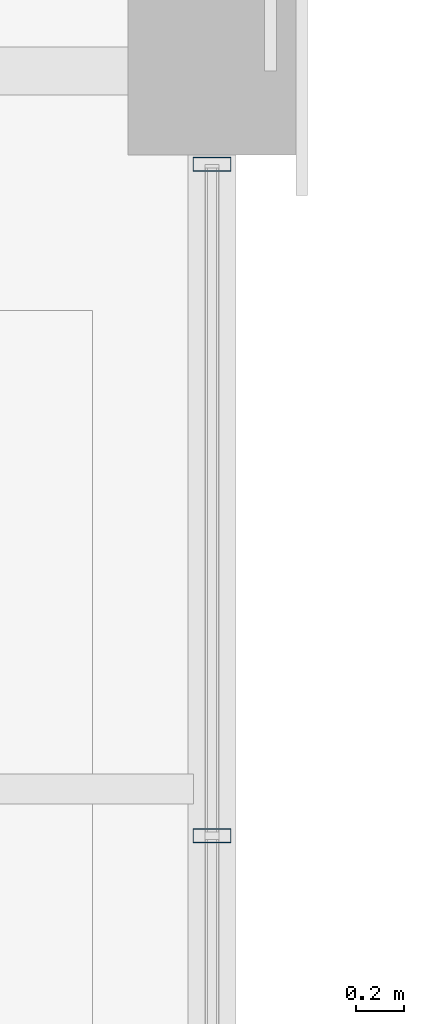
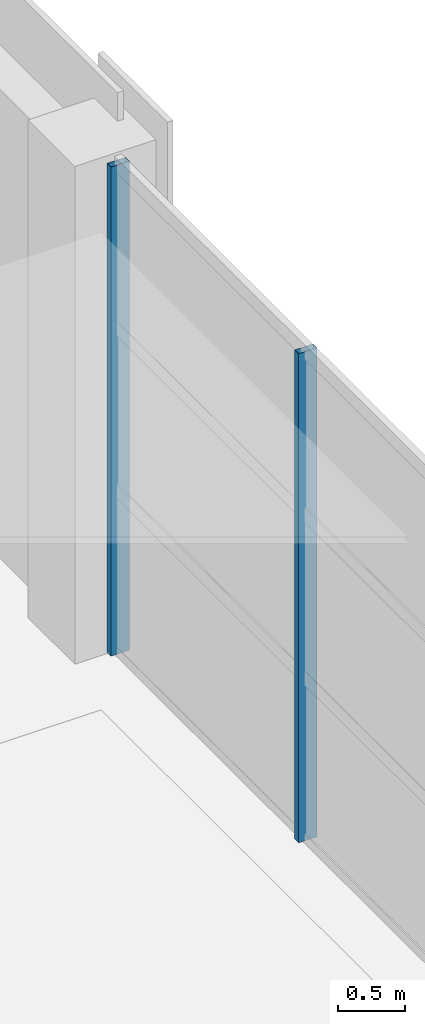
# One storey, part 36 of 101: 2 members, 1 element without a shape of its own.
"""IFC4 building model written with IfcOpenShell, lengths in metres."""

from ifc_helpers import new_model, si_unit, direction, frame, origin, origin_2d, place, context, subcontext, project, spatial, hollow_rectangle, extrude, material, material_profile, profile_set, type_object, element, aggregate, save


model = new_model("IFC4")

# Units and contexts
model_context = context("Model", 3, precision=1e-05, world=origin(), true_north=direction((0.0, 1.0)))
body_context = subcontext(model_context, "Body", "Model", "MODEL_VIEW")
ifc_project = project(units=[si_unit("LENGTHUNIT", "METRE"), si_unit("AREAUNIT", "SQUARE_METRE"), si_unit("VOLUMEUNIT", "CUBIC_METRE"), si_unit("PLANEANGLEUNIT", "RADIAN"), si_unit("MASSUNIT", "GRAM", prefix="KILO")], contexts=[model_context])

# Site, building, storey
site_placement = place(None, origin())
site = spatial("IfcSite", under=ifc_project, at=site_placement, CompositionType="ELEMENT")
building_placement = place(site_placement, origin())
building = spatial("IfcBuilding", under=site, at=building_placement, Name="Solvikara Media Centre", CompositionType="ELEMENT")
storey_placement = place(building_placement, frame((0.0, 0.0, 10.199951171875)))
storey = spatial("IfcBuildingStorey", under=building, at=storey_placement, Name="L02", CompositionType="ELEMENT", Elevation=10.199951171875)

# Curtain wall, members
ifc_material = material(Name="Anodised aluminium EN AW-6063", Category="aluminium")
curtain_wall_type = type_object("IfcCurtainWallType", Name="CW-07", PredefinedType="NOTDEFINED", material=ifc_material)
curtain_wall_placement = place(storey_placement, origin())
curtain_wall = element("IfcCurtainWall", 1, at=curtain_wall_placement, inside=storey, type_object=curtain_wall_type, Name="CW-L02-V4E-S2", PredefinedType="NOTDEFINED")
ifc_material_profile = material_profile(ifc_material, hollow_rectangle(XDim=0.06005859375, YDim=0.159912109375, WallThickness=0.00341796875, at=origin_2d()), Name="ALU-M 60x160x3.5")
ifc_profile_set = profile_set([ifc_material_profile], Name="Anodised aluminium EN AW-6063")
member_type = type_object("IfcMemberType", Name="MF-04", PredefinedType="MULLION", material=ifc_profile_set)
member_1_placement = place(storey_placement, frame((34.0, 65.304931640625, 0.02001953125), z_axis=(0.0, 0.0, 1.0), x_axis=(0.0, 1.0, 0.0)))
member_1 = element("IfcMember", 2, at=member_1_placement, type_object=member_type, Name="CW-L02-V4E-S2-M03", PredefinedType="MULLION", context=body_context, shape_type="SweptSolid", body=[
    extrude(hollow_rectangle(XDim=0.06005859375, YDim=0.159912109375, WallThickness=0.00341796875, at=origin_2d()), origin(), (0.0, 0.0, 1.0), 4.4599609375),
])
member_2_placement = place(storey_placement, frame((34.0, 68.110107421875, 0.02001953125), z_axis=(0.0, 0.0, 1.0), x_axis=(0.0, 1.0, 0.0)))
member_2 = element("IfcMember", 3, at=member_2_placement, type_object=member_type, Name="CW-L02-V4E-S2-M04", PredefinedType="MULLION", context=body_context, shape_type="SweptSolid", body=[
    extrude(hollow_rectangle(XDim=0.06005859375, YDim=0.159912109375, WallThickness=0.00341796875, at=origin_2d()), origin(), (0.0, 0.0, 1.0), 4.4599609375),
])
aggregate(curtain_wall, [member_1, member_2])

save(model, "model.ifc")
